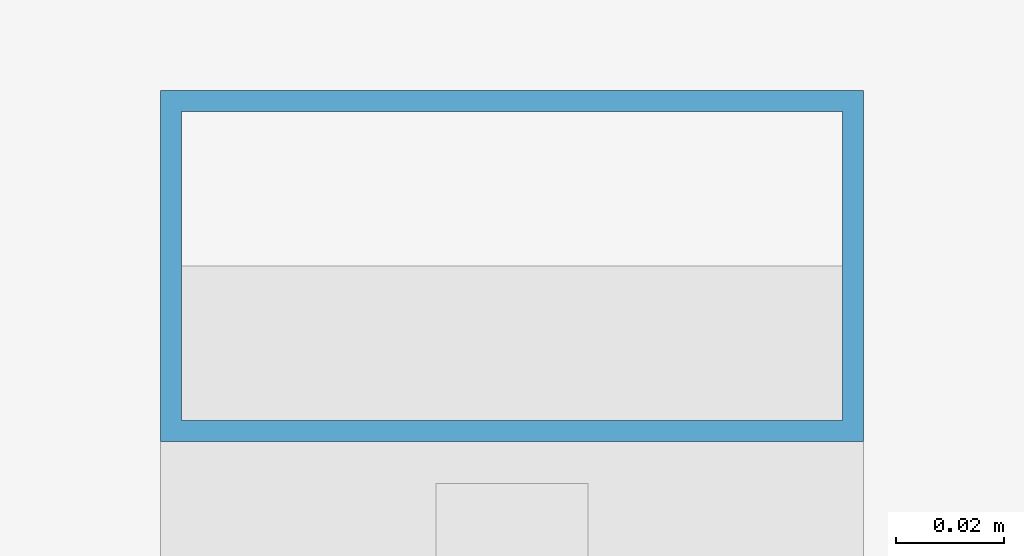
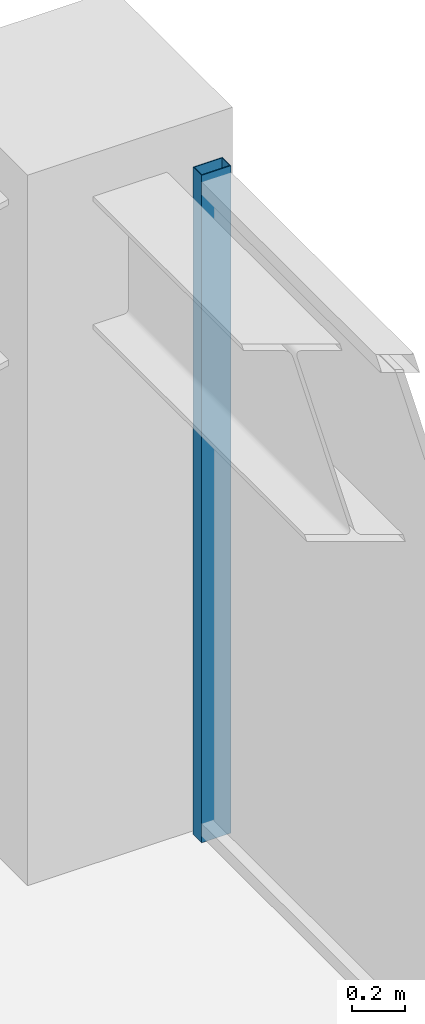
# One storey, part 21 of 31: 1 member, 1 element without a shape of its own.
"""IFC4 building model written with IfcOpenShell, lengths in metres."""

from ifc_helpers import new_model, si_unit, direction, frame, origin, origin_2d, place, context, subcontext, project, spatial, hollow_rectangle, extrude, material, material_profile, profile_set, type_object, element, aggregate, save


model = new_model("IFC4")

# Units and contexts
model_context = context("Model", 3, precision=1e-05, world=origin(), true_north=direction((0.0, 1.0)))
body_context = subcontext(model_context, "Body", "Model", "MODEL_VIEW")
ifc_project = project(units=[si_unit("LENGTHUNIT", "METRE"), si_unit("AREAUNIT", "SQUARE_METRE"), si_unit("VOLUMEUNIT", "CUBIC_METRE"), si_unit("PLANEANGLEUNIT", "RADIAN"), si_unit("MASSUNIT", "GRAM", prefix="KILO")], contexts=[model_context])

# Site, building, storey
site_placement = place(None, origin())
site = spatial("IfcSite", under=ifc_project, at=site_placement, CompositionType="ELEMENT")
building_placement = place(site_placement, origin())
building = spatial("IfcBuilding", under=site, at=building_placement, Name="Kolvaren Belvedere", CompositionType="ELEMENT")
storey_placement = place(building_placement, frame((0.0, 0.0, 131.60009765625)))
storey = spatial("IfcBuildingStorey", under=building, at=storey_placement, Name="L38", CompositionType="ELEMENT", Elevation=131.60009765625)

# Curtain wall, member
ifc_material_1 = material(Name="Anodised pale-metal aluminium AA 6063-T6", Category="aluminium")
curtain_wall_type = type_object("IfcCurtainWallType", Name="CW-Z3-WAIST", PredefinedType="NOTDEFINED", material=ifc_material_1)
curtain_wall_placement = place(storey_placement, origin())
curtain_wall = element("IfcCurtainWall", 1, at=curtain_wall_placement, inside=storey, type_object=curtain_wall_type, Name="L38 Unitised Curtain Wall FCW-L38-E-B1", PredefinedType="NOTDEFINED")
ifc_material_2 = material(Name="Anodised pale-metal aluminium AA 6063-T6", Category="aluminium")
ifc_material_profile = material_profile(ifc_material_2, hollow_rectangle(XDim=0.06494140625, YDim=0.1298828125, WallThickness=0.00390625, at=origin_2d()), Name="ALU-MUL-130X65")
ifc_profile_set = profile_set([ifc_material_profile], Name="Anodised pale-metal aluminium AA 6063-T6")
member_type = type_object("IfcMemberType", Name="CW-MUL-130", PredefinedType="MULLION", material=ifc_profile_set)
member_placement = place(storey_placement, frame((17.8798828125, 11.24755859375, 0.0), z_axis=(0.0, 0.0, 1.0), x_axis=(0.0, 1.0, 0.0)))
member = element("IfcMember", 2, at=member_placement, type_object=member_type, Name="FCW-L38-E-B1 Unitised Mullion 1", PredefinedType="MULLION", context=body_context, shape_type="SweptSolid", body=[
    extrude(hollow_rectangle(XDim=0.06494140625, YDim=0.1298828125, WallThickness=0.00390625, at=origin_2d()), origin(), (0.0, 0.0, 1.0), 3.099853515625),
])
aggregate(curtain_wall, [member])

save(model, "model.ifc")
